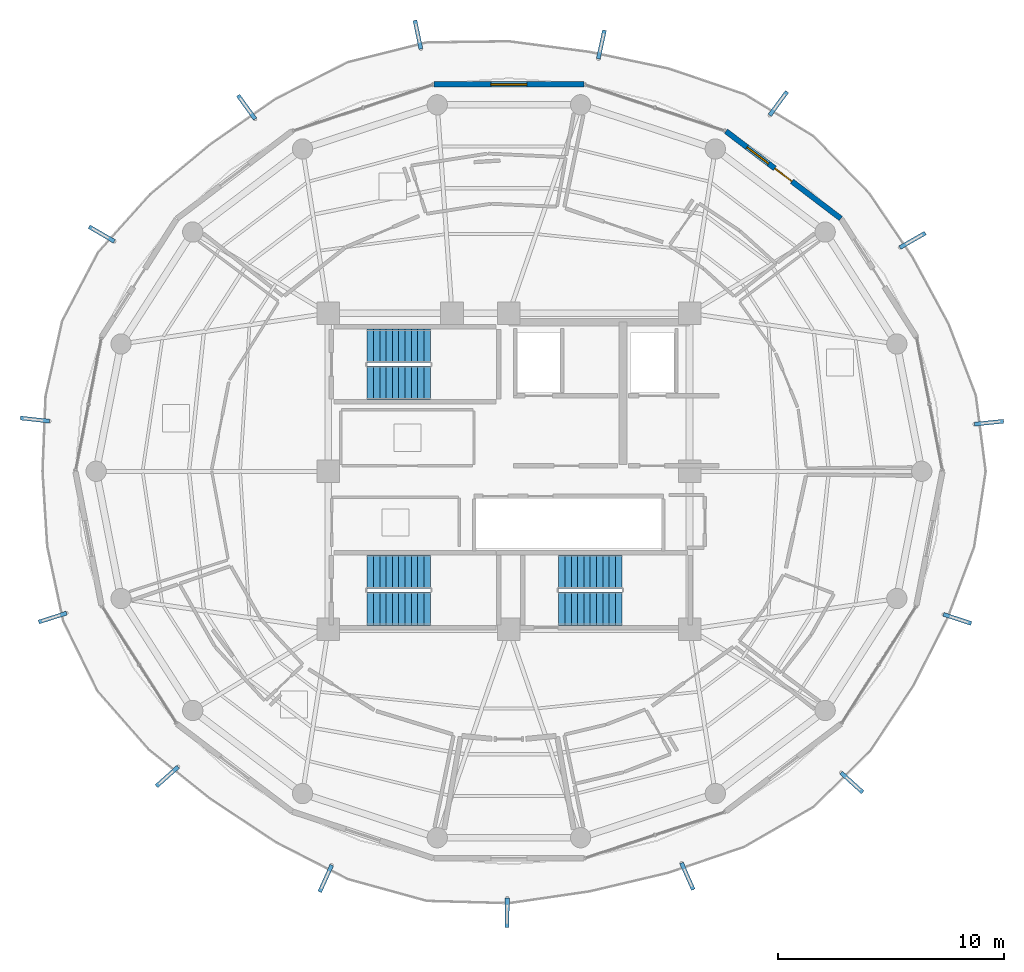
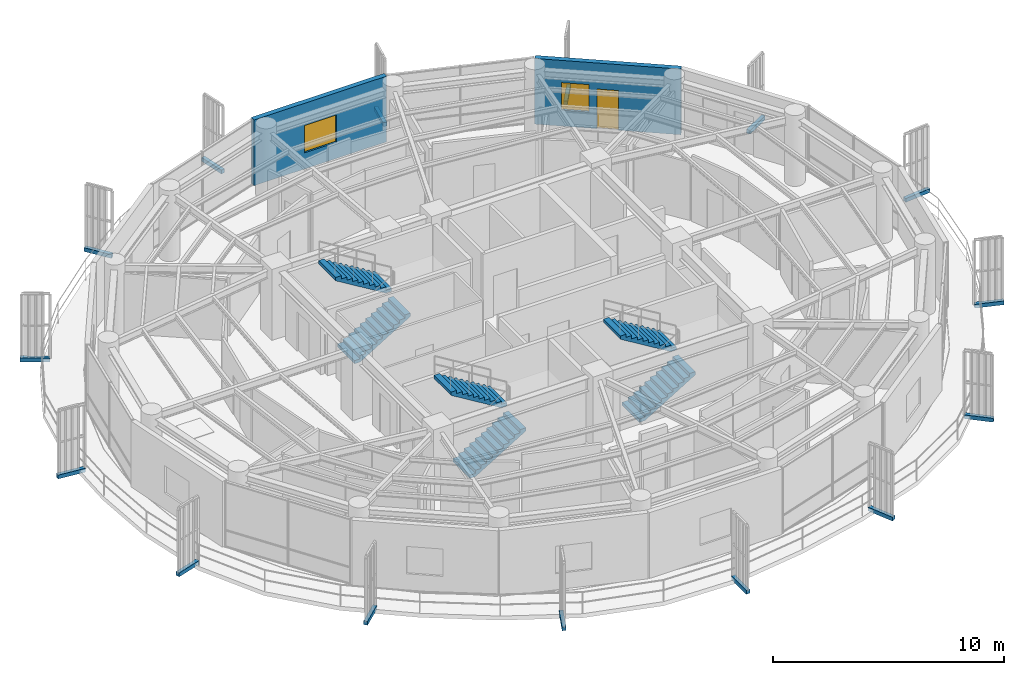
# One storey, part 18 of 22: 15 discrete accessories, 6 stair flights, 2 walls, 2 windows, 1 door, 3 openings, 3 elements without a shape of their own.
"""IFC4 building model written with IfcOpenShell, lengths in metres."""

from ifc_helpers import new_model, si_unit, direction, frame, frame_2d, origin, origin_2d, place, context, subcontext, project, spatial, polyline, rectangle, outline, extrude, source, transform, mapped, material, layer, layer_set, type_object, element, fill, aggregate, save


model = new_model("IFC4")

# Units and contexts
model_context = context("Model", 3, precision=1e-05, world=origin(), true_north=direction((0.0, 1.0)))
body_context = subcontext(model_context, "Body", "Model", "MODEL_VIEW")
ifc_project = project(units=[si_unit("LENGTHUNIT", "METRE"), si_unit("AREAUNIT", "SQUARE_METRE"), si_unit("VOLUMEUNIT", "CUBIC_METRE"), si_unit("PLANEANGLEUNIT", "RADIAN"), si_unit("MASSUNIT", "GRAM", prefix="KILO")], contexts=[model_context])

# Site, building, storey
site_placement = place(None, origin())
site = spatial("IfcSite", under=ifc_project, at=site_placement, CompositionType="ELEMENT")
building_placement = place(site_placement, origin())
building = spatial("IfcBuilding", under=site, at=building_placement, Name="Kelanora Arch Commons", CompositionType="ELEMENT")
storey_placement = place(building_placement, frame((0.0, 0.0, 274.949951171875)))
storey = spatial("IfcBuildingStorey", under=building, at=storey_placement, Name="L70", CompositionType="ELEMENT", Elevation=274.949951171875)

# Wall, openings, door, window
ifc_material_1 = material(Name="Precast concrete C40/50 upper-zone terracotta rainscreen", Category="masonry")
ifc_layer = layer(ifc_material_1, 0.239990234375)
ifc_layer_set = layer_set([ifc_layer], Name="Precast concrete C40/50 upper-zone terracotta rainscreen")
wall_type = type_object("IfcWallType", Name="W-EXT-TC2", PredefinedType="SOLIDWALL", material=ifc_layer_set)
wall_1_placement = place(storey_placement, frame((88.6962890625, 69.193603515625, 0.0), z_axis=(0.0, 0.0, 1.0), x_axis=(-0.796010444211, 0.605282886514, 0.0)))
wall_1 = element("IfcWall", 1, at=wall_1_placement, inside=storey, type_object=wall_type, Name="Terracotta Exterior Wall L70-B02", PredefinedType="SOLIDWALL", context=body_context, shape_type="SweptSolid", body=[
    extrude(rectangle(XDim=6.387451171875, YDim=0.239990234375, at=frame_2d((3.19384765625, 0.0))), origin(), (0.0, 0.0, 1.0), 3.47509765625),
])
opening_1_placement = place(wall_1_placement, frame((2.718994140625, 0.0, 0.0)))
opening_1 = element("IfcOpeningElement", 2, at=opening_1_placement, cuts=wall_1, Name="Opening DB-01", PredefinedType="OPENING", context=body_context, shape_type="SweptSolid", body=[
    extrude(rectangle(XDim=0.949951171875, YDim=2.10009765625, at=frame_2d((0.47509765625, 1.050048828125))), frame((0.0, 0.1298828125, 0.0), z_axis=(0.0, -1.0, 0.0), x_axis=(1.0, 0.0, 0.0)), (0.0, 0.0, 1.0), 0.260009765625),
])
opening_2_placement = place(wall_1_placement, frame((4.01904296875, 0.0, 0.85009765625)))
opening_2 = element("IfcOpeningElement", 3, at=opening_2_placement, cuts=wall_1, Name="Opening WN-02", PredefinedType="OPENING", context=body_context, shape_type="SweptSolid", body=[
    extrude(rectangle(XDim=1.199951171875, YDim=1.449951171875, at=frame_2d((0.60009765625, 0.72509765625))), frame((0.0, 0.1298828125, 0.0), z_axis=(0.0, -1.0, 0.0), x_axis=(1.0, 0.0, 0.0)), (0.0, 0.0, 1.0), 0.260009765625),
])
ifc_material_2 = material(Name="Terracotta-aluminium thermally broken glazed balcony door", Category="masonry")
door_type = type_object("IfcDoorType", Name="D-BAL-10", OperationType="NOTDEFINED", PredefinedType="DOOR", material=ifc_material_2)
door_placement = place(opening_1_placement, frame((0.949951171875, 0.0, 0.0), z_axis=(0.0, 0.0, 1.0), x_axis=(-1.0, 0.0, 0.0)))
door = element("IfcDoor", 4, at=door_placement, inside=storey, type_object=door_type, Name="Wave Balcony Door L70-B02", OperationType="SINGLE_SWING_LEFT", OverallHeight=2.10009765625, OverallWidth=0.949951171875, PredefinedType="DOOR", context=body_context, shape_type="SweptSolid", body=[
    extrude(rectangle(XDim=0.949951171875, YDim=2.10009765625, at=frame_2d((0.47509765625, 1.050048828125))), frame((0.0, 0.02490234375, 0.0), z_axis=(0.0, -1.0, 0.0), x_axis=(1.0, 0.0, 0.0)), (0.0, 0.0, 1.0), 0.050048828125),
])
fill(opening_1, door)
ifc_material_3 = material(Name="Terracotta-anodised aluminium frame with operable awning sash", Category="masonry")
window_type_1 = type_object("IfcWindowType", Name="WIN-CL-12", PartitioningType="SINGLE_PANEL", PredefinedType="WINDOW", material=ifc_material_3)
window_1_placement = place(opening_2_placement, origin())
window_1 = element("IfcWindow", 5, at=window_1_placement, inside=storey, type_object=window_type_1, Name="Co-Living Operable Window L70-B02", OverallHeight=1.449951171875, OverallWidth=1.199951171875, PartitioningType="SINGLE_PANEL", PredefinedType="WINDOW", context=body_context, shape_type="SweptSolid", body=[
    extrude(rectangle(XDim=1.199951171875, YDim=1.449951171875, at=frame_2d((0.60009765625, 0.72509765625))), frame((0.0, 0.030029296875, 0.0), z_axis=(0.0, -1.0, 0.0), x_axis=(1.0, 0.0, 0.0)), (0.0, 0.0, 1.0), 0.06005859375),
])
fill(opening_2, window_1)

# Wall, opening, window
wall_2_placement = place(storey_placement, frame((77.319091796875, 75.1357421875, 0.0), z_axis=(0.0, 0.0, 1.0), x_axis=(-1.0, 0.0, 0.0)))
wall_2 = element("IfcWall", 6, at=wall_2_placement, inside=storey, type_object=wall_type, Name="Terracotta Exterior Wall L70-B04", PredefinedType="SOLIDWALL", context=body_context, shape_type="SweptSolid", body=[
    extrude(rectangle(XDim=6.63818359375, YDim=0.239990234375, at=frame_2d((3.319091796875, 0.0))), origin(), (0.0, 0.0, 1.0), 3.47509765625),
])
opening_3_placement = place(wall_2_placement, frame((2.51904296875, 0.0, 0.85009765625)))
opening_3 = element("IfcOpeningElement", 7, at=opening_3_placement, cuts=wall_2, Name="Opening WN-01", PredefinedType="OPENING", context=body_context, shape_type="SweptSolid", body=[
    extrude(rectangle(XDim=1.60009765625, YDim=1.449951171875, at=frame_2d((0.800048828125, 0.72509765625))), frame((0.0, 0.1298828125, 0.0), z_axis=(0.0, -1.0, 0.0), x_axis=(1.0, 0.0, 0.0)), (0.0, 0.0, 1.0), 0.260009765625),
])
ifc_material_4 = material(Name="Terracotta-anodised aluminium frame with operable low-E glazing", Category="masonry")
window_type_2 = type_object("IfcWindowType", Name="WIN-CL-18", PartitioningType="DOUBLE_PANEL_VERTICAL", PredefinedType="WINDOW", material=ifc_material_4)
window_2_placement = place(opening_3_placement, origin())
window_2 = element("IfcWindow", 8, at=window_2_placement, inside=storey, type_object=window_type_2, Name="Co-Living Operable Window L70-B04", OverallHeight=1.449951171875, OverallWidth=1.60009765625, PartitioningType="SINGLE_PANEL", PredefinedType="WINDOW", context=body_context, shape_type="SweptSolid", body=[
    extrude(rectangle(XDim=1.60009765625, YDim=1.449951171875, at=frame_2d((0.800048828125, 0.72509765625))), frame((0.0, 0.030029296875, 0.0), z_axis=(0.0, -1.0, 0.0), x_axis=(1.0, 0.0, 0.0)), (0.0, 0.0, 1.0), 0.06005859375),
])
fill(opening_3, window_2)

# Stair, stair flights
ifc_material_5 = material(Name="Concrete C40/50", Category="concrete")
stair_type = type_object("IfcStairType", Name="STR-DL-375", PredefinedType="HALF_TURN_STAIR", material=ifc_material_5)
stair_1_placement = place(storey_placement, origin())
stair_1 = element("IfcStair", 9, at=stair_1_placement, inside=storey, type_object=stair_type, Name="L70 ST-T1", PredefinedType="HALF_TURN_STAIR")
stair_flight_type = type_object("IfcStairFlightType", Name="FLT-DL-375", PredefinedType="STRAIGHT", material=ifc_material_5)
stair_flight_1_placement = place(storey_placement, frame((67.719970703125, 61.919921875, 0.0), z_axis=(0.0, 0.0, 1.0), x_axis=(1.0, 0.0, 0.0)))
stair_flight_1 = element("IfcStairFlight", 10, at=stair_flight_1_placement, type_object=stair_flight_type, Name="ST-T1 flight 1", NumberOfRisers=11, NumberOfTreads=10, PredefinedType="STRAIGHT", RiserHeight=0.170454545, TreadLength=0.28, context=body_context, shape_type="SweptSolid", body=[
    extrude(outline(polyline([(0.0, 0.0), (0.0, 0.17041015625), (0.280029296875, 0.17041015625), (0.280029296875, 0.3408203125), (0.56005859375, 0.3408203125), (0.56005859375, 0.511474609375), (0.840087890625, 0.511474609375), (0.840087890625, 0.681884765625), (1.1201171875, 0.681884765625), (1.1201171875, 0.852294921875), (1.39990234375, 0.852294921875), (1.39990234375, 1.022705078125), (1.679931640625, 1.022705078125), (1.679931640625, 1.193115234375), (1.9599609375, 1.193115234375), (1.9599609375, 1.363525390625), (2.239990234375, 1.363525390625), (2.239990234375, 1.5341796875), (2.52001953125, 1.5341796875), (2.52001953125, 1.70458984375), (2.800048828125, 1.70458984375), (2.800048828125, 1.875), (2.800048828125, 1.529052734375), (0.288330078125, 0.0), (0.0, 0.0)])), frame((0.0, 0.739990234375, 0.0), z_axis=(0.0, -1.0, 0.0), x_axis=(1.0, 0.0, 0.0)), (0.0, 0.0, 1.0), 1.47998046875),
])
stair_flight_2_placement = place(storey_placement, frame((70.52001953125, 63.550048828125, 1.875), z_axis=(0.0, 0.0, 1.0), x_axis=(-1.0, 0.0, 0.0)))
stair_flight_2 = element("IfcStairFlight", 11, at=stair_flight_2_placement, type_object=stair_flight_type, Name="ST-T1 flight 2", NumberOfRisers=11, NumberOfTreads=10, PredefinedType="STRAIGHT", RiserHeight=0.170454545, TreadLength=0.28, context=body_context, shape_type="SweptSolid", body=[
    extrude(outline(polyline([(0.0, 0.0), (0.0, 0.17041015625), (0.280029296875, 0.17041015625), (0.280029296875, 0.3408203125), (0.56005859375, 0.3408203125), (0.56005859375, 0.511474609375), (0.840087890625, 0.511474609375), (0.840087890625, 0.681884765625), (1.1201171875, 0.681884765625), (1.1201171875, 0.852294921875), (1.39990234375, 0.852294921875), (1.39990234375, 1.022705078125), (1.679931640625, 1.022705078125), (1.679931640625, 1.193115234375), (1.9599609375, 1.193115234375), (1.9599609375, 1.363525390625), (2.239990234375, 1.363525390625), (2.239990234375, 1.5341796875), (2.52001953125, 1.5341796875), (2.52001953125, 1.70458984375), (2.800048828125, 1.70458984375), (2.800048828125, 1.875), (2.800048828125, 1.529052734375), (0.288330078125, 0.0), (0.0, 0.0)])), frame((0.0, 0.739990234375, 0.0), z_axis=(0.0, -1.0, 0.0), x_axis=(1.0, 0.0, 0.0)), (0.0, 0.0, 1.0), 1.47998046875),
])
aggregate(stair_1, [stair_flight_1, stair_flight_2])

stair_2_placement = place(storey_placement, origin())
stair_2 = element("IfcStair", 12, at=stair_2_placement, inside=storey, type_object=stair_type, Name="L70 ST-T2", PredefinedType="HALF_TURN_STAIR")
stair_flight_3_placement = place(storey_placement, frame((76.199951171875, 51.919921875, 0.0), z_axis=(0.0, 0.0, 1.0), x_axis=(1.0, 0.0, 0.0)))
stair_flight_3 = element("IfcStairFlight", 13, at=stair_flight_3_placement, type_object=stair_flight_type, Name="ST-T2 flight 1", NumberOfRisers=11, NumberOfTreads=10, PredefinedType="STRAIGHT", RiserHeight=0.170454545, TreadLength=0.28, context=body_context, shape_type="SweptSolid", body=[
    extrude(outline(polyline([(0.0, 0.0), (0.0, 0.17041015625), (0.280029296875, 0.17041015625), (0.280029296875, 0.3408203125), (0.56005859375, 0.3408203125), (0.56005859375, 0.511474609375), (0.840087890625, 0.511474609375), (0.840087890625, 0.681884765625), (1.1201171875, 0.681884765625), (1.1201171875, 0.852294921875), (1.39990234375, 0.852294921875), (1.39990234375, 1.022705078125), (1.679931640625, 1.022705078125), (1.679931640625, 1.193115234375), (1.9599609375, 1.193115234375), (1.9599609375, 1.363525390625), (2.239990234375, 1.363525390625), (2.239990234375, 1.5341796875), (2.52001953125, 1.5341796875), (2.52001953125, 1.70458984375), (2.800048828125, 1.70458984375), (2.800048828125, 1.875), (2.800048828125, 1.529052734375), (0.288330078125, 0.0), (0.0, 0.0)])), frame((0.0, 0.739990234375, 0.0), z_axis=(0.0, -1.0, 0.0), x_axis=(1.0, 0.0, 0.0)), (0.0, 0.0, 1.0), 1.47998046875),
])
stair_flight_4_placement = place(storey_placement, frame((79.0, 53.550048828125, 1.875), z_axis=(0.0, 0.0, 1.0), x_axis=(-1.0, 0.0, 0.0)))
stair_flight_4 = element("IfcStairFlight", 14, at=stair_flight_4_placement, type_object=stair_flight_type, Name="ST-T2 flight 2", NumberOfRisers=11, NumberOfTreads=10, PredefinedType="STRAIGHT", RiserHeight=0.170454545, TreadLength=0.28, context=body_context, shape_type="SweptSolid", body=[
    extrude(outline(polyline([(0.0, 0.0), (0.0, 0.17041015625), (0.280029296875, 0.17041015625), (0.280029296875, 0.3408203125), (0.56005859375, 0.3408203125), (0.56005859375, 0.511474609375), (0.840087890625, 0.511474609375), (0.840087890625, 0.681884765625), (1.1201171875, 0.681884765625), (1.1201171875, 0.852294921875), (1.39990234375, 0.852294921875), (1.39990234375, 1.022705078125), (1.679931640625, 1.022705078125), (1.679931640625, 1.193115234375), (1.9599609375, 1.193115234375), (1.9599609375, 1.363525390625), (2.239990234375, 1.363525390625), (2.239990234375, 1.5341796875), (2.52001953125, 1.5341796875), (2.52001953125, 1.70458984375), (2.800048828125, 1.70458984375), (2.800048828125, 1.875), (2.800048828125, 1.529052734375), (0.288330078125, 0.0), (0.0, 0.0)])), frame((0.0, 0.739990234375, 0.0), z_axis=(0.0, -1.0, 0.0), x_axis=(1.0, 0.0, 0.0)), (0.0, 0.0, 1.0), 1.47998046875),
])
aggregate(stair_2, [stair_flight_3, stair_flight_4])

stair_3_placement = place(storey_placement, origin())
stair_3 = element("IfcStair", 15, at=stair_3_placement, inside=storey, type_object=stair_type, Name="L70 ST-T3", PredefinedType="HALF_TURN_STAIR")
stair_flight_5_placement = place(storey_placement, frame((67.719970703125, 51.919921875, 0.0), z_axis=(0.0, 0.0, 1.0), x_axis=(1.0, 0.0, 0.0)))
stair_flight_5 = element("IfcStairFlight", 16, at=stair_flight_5_placement, type_object=stair_flight_type, Name="ST-T3 flight 1", NumberOfRisers=11, NumberOfTreads=10, PredefinedType="STRAIGHT", RiserHeight=0.170454545, TreadLength=0.28, context=body_context, shape_type="SweptSolid", body=[
    extrude(outline(polyline([(0.0, 0.0), (0.0, 0.17041015625), (0.280029296875, 0.17041015625), (0.280029296875, 0.3408203125), (0.56005859375, 0.3408203125), (0.56005859375, 0.511474609375), (0.840087890625, 0.511474609375), (0.840087890625, 0.681884765625), (1.1201171875, 0.681884765625), (1.1201171875, 0.852294921875), (1.39990234375, 0.852294921875), (1.39990234375, 1.022705078125), (1.679931640625, 1.022705078125), (1.679931640625, 1.193115234375), (1.9599609375, 1.193115234375), (1.9599609375, 1.363525390625), (2.239990234375, 1.363525390625), (2.239990234375, 1.5341796875), (2.52001953125, 1.5341796875), (2.52001953125, 1.70458984375), (2.800048828125, 1.70458984375), (2.800048828125, 1.875), (2.800048828125, 1.529052734375), (0.288330078125, 0.0), (0.0, 0.0)])), frame((0.0, 0.739990234375, 0.0), z_axis=(0.0, -1.0, 0.0), x_axis=(1.0, 0.0, 0.0)), (0.0, 0.0, 1.0), 1.47998046875),
])
stair_flight_6_placement = place(storey_placement, frame((70.52001953125, 53.550048828125, 1.875), z_axis=(0.0, 0.0, 1.0), x_axis=(-1.0, 0.0, 0.0)))
stair_flight_6 = element("IfcStairFlight", 17, at=stair_flight_6_placement, type_object=stair_flight_type, Name="ST-T3 flight 2", NumberOfRisers=11, NumberOfTreads=10, PredefinedType="STRAIGHT", RiserHeight=0.170454545, TreadLength=0.28, context=body_context, shape_type="SweptSolid", body=[
    extrude(outline(polyline([(0.0, 0.0), (0.0, 0.17041015625), (0.280029296875, 0.17041015625), (0.280029296875, 0.3408203125), (0.56005859375, 0.3408203125), (0.56005859375, 0.511474609375), (0.840087890625, 0.511474609375), (0.840087890625, 0.681884765625), (1.1201171875, 0.681884765625), (1.1201171875, 0.852294921875), (1.39990234375, 0.852294921875), (1.39990234375, 1.022705078125), (1.679931640625, 1.022705078125), (1.679931640625, 1.193115234375), (1.9599609375, 1.193115234375), (1.9599609375, 1.363525390625), (2.239990234375, 1.363525390625), (2.239990234375, 1.5341796875), (2.52001953125, 1.5341796875), (2.52001953125, 1.70458984375), (2.800048828125, 1.70458984375), (2.800048828125, 1.875), (2.800048828125, 1.529052734375), (0.288330078125, 0.0), (0.0, 0.0)])), frame((0.0, 0.739990234375, 0.0), z_axis=(0.0, -1.0, 0.0), x_axis=(1.0, 0.0, 0.0)), (0.0, 0.0, 1.0), 1.47998046875),
])
aggregate(stair_3, [stair_flight_5, stair_flight_6])

# Discrete accessories
ifc_material_6 = material(Name="Stainless steel 316 marine fin bracket", Category="steel")
discrete_accessory_type = type_object("IfcDiscreteAccessoryType", Name="ACC-FIN-BRK", PredefinedType="BRACKET", material=ifc_material_6)
shared_shape = source(origin(), body_context, "Body", "SweptSolid", [
    extrude(rectangle(XDim=1.294189453125, YDim=0.179931640625, at=origin_2d()), origin(), (0.0, 0.0, 1.0), 0.199951171875),
])
for number, where, z_axis, x_axis, name in (
    (18, (93.8603515625, 51.46142578125, -0.16015625), (0.0, 0.0, 1.0), (0.949862968197, -0.312666502279, 0.0), "Sweeping Fin Cantilever Spine Bracket L70-00"),
    (19, (95.259521484375, 60.15087890625, -0.16015625), (0.0, 0.0, 1.0), (0.994915923519, 0.100709012153, 0.0), "Sweeping Fin Cantilever Spine Bracket L70-01"),
    (20, (91.87646484375, 68.228515625, -0.16015625), (0.0, 0.0, 1.0), (0.867938877136, 0.49667102347, 0.0), "Sweeping Fin Cantilever Spine Bracket L70-02"),
    (21, (85.93017578125, 74.28662109375, -0.16015625), (0.0, 0.0, 1.0), (0.59088731392, 0.806754102716, 0.0), "Sweeping Fin Cantilever Spine Bracket L70-03"),
    (22, (78.09375, 76.8974609375, -0.16015625), (0.0, 0.0, 1.0), (0.211665966084, 0.97734206847, 0.0), "Sweeping Fin Cantilever Spine Bracket L70-04"),
    (23, (69.96923828125, 77.3330078125, -0.16015625), (0.0, 0.0, 1.0), (-0.204154350213, 0.978938711712, 0.0), "Sweeping Fin Cantilever Spine Bracket L70-05"),
    (24, (62.3828125, 74.12158203125, -0.16015625), (0.0, 0.0, 1.0), (-0.584674524674, 0.811267958321, 0.0), "Sweeping Fin Cantilever Spine Bracket L70-06"),
    (25, (55.966796875, 68.50537109375, -0.16015625), (0.0, 0.0, 1.0), (-0.864099162217, 0.503321604797, 0.0), "Sweeping Fin Cantilever Spine Bracket L70-07"),
    (26, (53.01171875, 60.28857421875, -0.16015625), (0.0, 0.0, 1.0), (-0.994113204519, 0.108346373271, 0.0), "Sweeping Fin Cantilever Spine Bracket L70-08"),
    (27, (53.793212890625, 51.521240234375, -0.16015625), (0.0, 0.0, 1.0), (-0.952236042525, -0.30536293049, 0.0), "Sweeping Fin Cantilever Spine Bracket L70-09"),
    (28, (58.87060546875, 44.48388671875, -0.16015625), (0.0, 0.0, 1.0), (-0.745708617985, -0.666272209433, 0.0), "Sweeping Fin Cantilever Spine Bracket L70-10"),
    (29, (65.88720703125, 39.9677734375, -0.16015625), (0.0, 0.0, 1.0), (-0.410241398845, -0.911976970473, 0.0), "Sweeping Fin Cantilever Spine Bracket L70-11"),
    (30, (73.923828125, 38.453369140625, -0.16015625), (0.0, 0.0, 1.0), (-0.003839714919, -0.999992628267, 0.0), "Sweeping Fin Cantilever Spine Bracket L70-12"),
    (31, (81.90185546875, 40.064453125, -0.16015625), (0.0, 0.0, 1.0), (0.403225890599, -0.915100475986, 0.0), "Sweeping Fin Cantilever Spine Bracket L70-13"),
    (32, (89.187255859375, 44.2177734375, -0.16015625), (0.0, 0.0, 1.0), (0.74057007644, -0.671979137981, 0.0), "Sweeping Fin Cantilever Spine Bracket L70-14"),
):
    element("IfcDiscreteAccessory", number, at=place(storey_placement, frame(where, z_axis=z_axis, x_axis=x_axis)), inside=storey, type_object=discrete_accessory_type, Name=name, PredefinedType="BRACKET", context=body_context, shape_type="MappedRepresentation", body=[
        mapped(shared_shape, transform((0.0, 0.0, 0.0), scale=1.0)),
    ])

save(model, "model.ifc")
